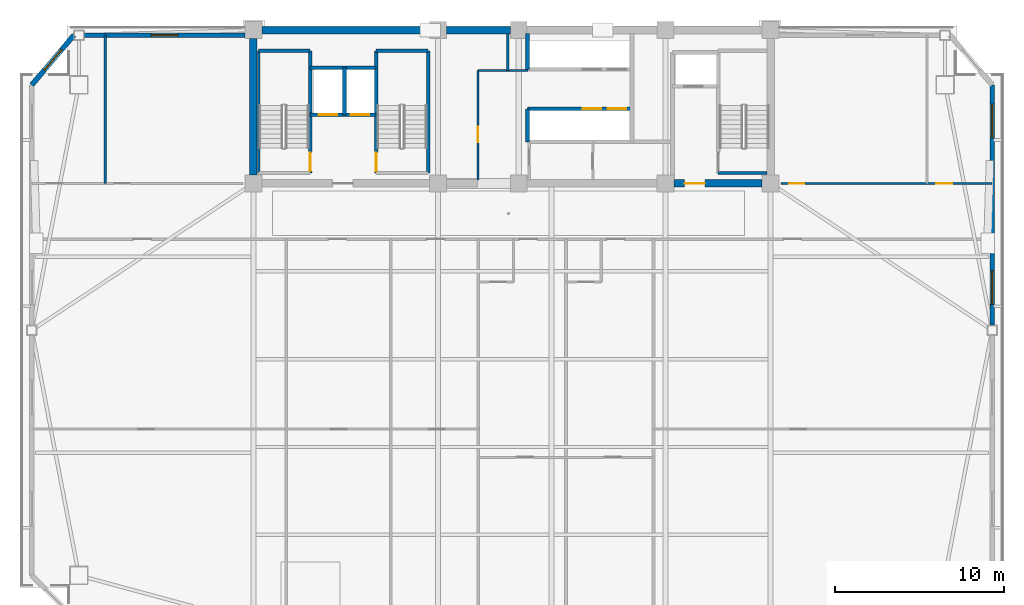
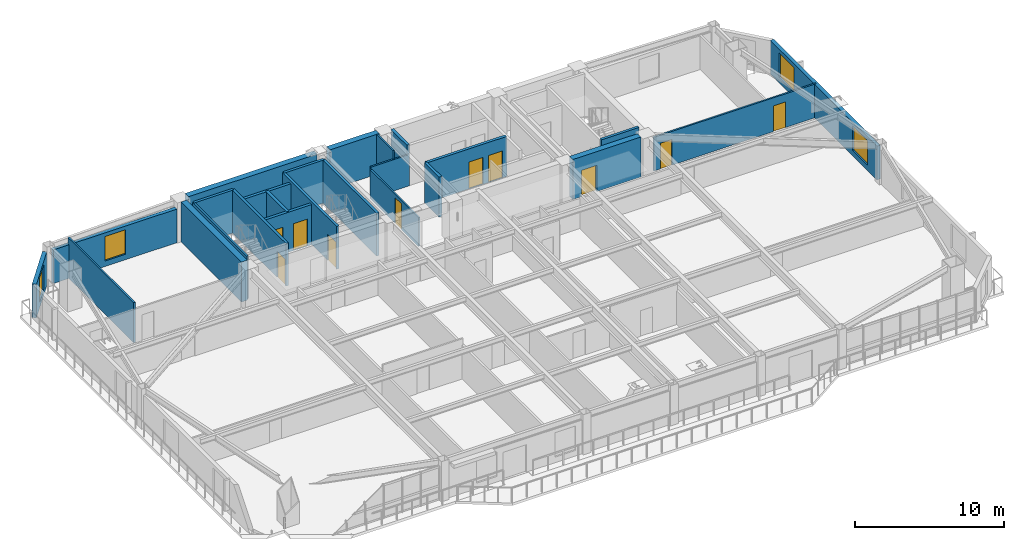
# One storey, part 10 of 17: 25 walls, 10 doors, 4 windows, 14 openings.
"""IFC4 building model written with IfcOpenShell, lengths in metres."""

from ifc_helpers import new_model, si_unit, direction, frame, frame_2d, origin, place, context, subcontext, project, spatial, rectangle, extrude, source, transform, mapped, material, layer, layer_set, type_object, element, fill, save


model = new_model("IFC4")

# Units and contexts
model_context = context("Model", 3, precision=1e-05, world=origin(), true_north=direction((0.0, 1.0)))
body_context = subcontext(model_context, "Body", "Model", "MODEL_VIEW")
ifc_project = project(units=[si_unit("LENGTHUNIT", "METRE"), si_unit("AREAUNIT", "SQUARE_METRE"), si_unit("VOLUMEUNIT", "CUBIC_METRE"), si_unit("PLANEANGLEUNIT", "RADIAN"), si_unit("MASSUNIT", "GRAM", prefix="KILO")], contexts=[model_context])

# Site, building, storey
site_placement = place(None, origin())
site = spatial("IfcSite", under=ifc_project, at=site_placement, CompositionType="ELEMENT")
building_placement = place(site_placement, origin())
building = spatial("IfcBuilding", under=site, at=building_placement, Name="Giltprow Tower", CompositionType="ELEMENT")
storey_placement = place(building_placement, frame((0.0, 0.0, 206.199951171875)))
storey = spatial("IfcBuildingStorey", under=building, at=storey_placement, Name="L52", CompositionType="ELEMENT", Elevation=206.199951171875)

# Wall, opening, window
ifc_material_1 = material(Name="Precast concrete C40", Category="concrete")
ifc_layer_1 = layer(ifc_material_1, 0.300048828125, Name="Precast concrete C40")
ifc_layer_set_1 = layer_set([ifc_layer_1], Name="Precast concrete C40")
wall_type_1 = type_object("IfcWallType", Name="EW-NOTCH-CHAMFER-300", PredefinedType="SOLIDWALL", material=ifc_layer_set_1)
wall_1_placement = place(storey_placement, frame((9.202880859375, 46.25, 0.0), z_axis=(0.0, 0.0, 1.0), x_axis=(-0.646527923623, -0.762890322377, 0.0)))
wall_1 = element("IfcWall", 1, at=wall_1_placement, inside=storey, type_object=wall_type_1, Name="L52 Corner Notch Wall NW", PredefinedType="SOLIDWALL", context=body_context, shape_type="SweptSolid", body=[
    extrude(rectangle(XDim=3.86669921875, YDim=0.300048828125, at=frame_2d((1.933349609375, 0.0))), origin(), (0.0, 0.0, 1.0), 2.75),
])
opening_1_placement = place(wall_1_placement, frame((1.133056640625, 0.0, 0.449951171875)))
opening_1 = element("IfcOpeningElement", 2, at=opening_1_placement, cuts=wall_1, Name="Opening WN17", PredefinedType="OPENING", context=body_context, shape_type="SweptSolid", body=[
    extrude(rectangle(XDim=1.60009765625, YDim=2.0, at=frame_2d((0.800048828125, 1.0))), frame((0.0, 0.159912109375, 0.0), z_axis=(0.0, -1.0, 0.0), x_axis=(1.0, 0.0, 0.0)), (0.0, 0.0, 1.0), 0.320068359375),
])
ifc_material_2 = material(Name="Insulated glass", Category="glass")
window_type_1 = type_object("IfcWindowType", Name="WN-COR-1600x2000", PartitioningType="SINGLE_PANEL", PredefinedType="WINDOW", material=ifc_material_2)
shared_shape_1 = source(origin(), body_context, "Body", "SweptSolid", [
    extrude(rectangle(XDim=1.60009765625, YDim=2.0, at=frame_2d((0.800048828125, 1.0))), frame((0.0, 0.030029296875, 0.0), z_axis=(0.0, -1.0, 0.0), x_axis=(1.0, 0.0, 0.0)), (0.0, 0.0, 1.0), 0.06005859375),
])
window_1_placement = place(opening_1_placement, origin())
window_1 = element("IfcWindow", 3, at=window_1_placement, inside=storey, type_object=window_type_1, Name="L52 Corner Notch Window NW", OverallHeight=2.0, OverallWidth=1.60009765625, PartitioningType="SINGLE_PANEL", PredefinedType="WINDOW", context=body_context, shape_type="MappedRepresentation", body=[
    mapped(shared_shape_1, transform((0.0, 0.0, 0.0), x_axis=(1.0, 0.0, 0.0), y_axis=(0.0, 1.0, 0.0), z_axis=(0.0, 0.0, 1.0), scale=1.0)),
])
fill(opening_1, window_1)

# Wall, openings, windows
ifc_layer_2 = layer(ifc_material_1, 0.280029296875, Name="Precast concrete C40")
ifc_layer_set_2 = layer_set([ifc_layer_2], Name="Precast concrete C40")
wall_type_2 = type_object("IfcWallType", Name="EW-TOW-BRONZE-280", PredefinedType="SOLIDWALL", material=ifc_layer_set_2)
wall_2_placement = place(storey_placement, frame((63.697998046875, 29.04296875, 0.0), z_axis=(0.0, 0.0, 1.0), x_axis=(0.0, 1.0, 0.0)))
wall_2 = element("IfcWall", 4, at=wall_2_placement, inside=storey, type_object=wall_type_2, Name="L52 E Wing Masonry Wall 2", PredefinedType="SOLIDWALL", context=body_context, shape_type="SweptSolid", body=[
    extrude(rectangle(XDim=14.257080078125, YDim=0.280029296875, at=frame_2d((7.12841796875, 0.0))), origin(), (0.0, 0.0, 1.0), 2.75),
])
opening_2_placement = place(wall_2_placement, frame((1.23193359375, 0.0, 0.449951171875)))
opening_2 = element("IfcOpeningElement", 5, at=opening_2_placement, cuts=wall_2, Name="Opening WN21", PredefinedType="OPENING", context=body_context, shape_type="SweptSolid", body=[
    extrude(rectangle(XDim=2.0, YDim=2.0, at=frame_2d((1.0, 1.0))), frame((0.0, 0.14990234375, 0.0), z_axis=(0.0, -1.0, 0.0), x_axis=(1.0, 0.0, 0.0)), (0.0, 0.0, 1.0), 0.300048828125),
])
opening_3_placement = place(wall_2_placement, frame((11.10791015625, 0.0, 0.449951171875)))
opening_3 = element("IfcOpeningElement", 6, at=opening_3_placement, cuts=wall_2, Name="Opening WN21", PredefinedType="OPENING", context=body_context, shape_type="SweptSolid", body=[
    extrude(rectangle(XDim=2.0, YDim=2.0, at=frame_2d((1.0, 1.0))), frame((0.0, 0.14990234375, 0.0), z_axis=(0.0, -1.0, 0.0), x_axis=(1.0, 0.0, 0.0)), (0.0, 0.0, 1.0), 0.300048828125),
])
window_type_2 = type_object("IfcWindowType", Name="WN-HTL-2000x2000", PartitioningType="DOUBLE_PANEL_VERTICAL", PredefinedType="WINDOW", material=ifc_material_2)
shared_shape_2 = source(origin(), body_context, "Body", "SweptSolid", [
    extrude(rectangle(XDim=2.0, YDim=2.0, at=frame_2d((1.0, 1.0))), frame((0.0, 0.030029296875, 0.0), z_axis=(0.0, -1.0, 0.0), x_axis=(1.0, 0.0, 0.0)), (0.0, 0.0, 1.0), 0.06005859375),
])
window_2_placement = place(opening_2_placement, origin())
window_2 = element("IfcWindow", 7, at=window_2_placement, inside=storey, type_object=window_type_2, Name="L52 E Wing Window 2-1", OverallHeight=2.0, OverallWidth=2.0, PartitioningType="SINGLE_PANEL", PredefinedType="WINDOW", context=body_context, shape_type="MappedRepresentation", body=[
    mapped(shared_shape_2, transform((0.0, 0.0, 0.0), x_axis=(1.0, 0.0, 0.0), y_axis=(0.0, 1.0, 0.0), z_axis=(0.0, 0.0, 1.0), scale=1.0)),
])
fill(opening_2, window_2)
window_3_placement = place(opening_3_placement, origin())
window_3 = element("IfcWindow", 8, at=window_3_placement, inside=storey, type_object=window_type_2, Name="L52 E Wing Window 2-2", OverallHeight=2.0, OverallWidth=2.0, PartitioningType="SINGLE_PANEL", PredefinedType="WINDOW", context=body_context, shape_type="MappedRepresentation", body=[
    mapped(shared_shape_2, transform((0.0, 0.0, 0.0), x_axis=(1.0, 0.0, 0.0), y_axis=(0.0, 1.0, 0.0), z_axis=(0.0, 0.0, 1.0), scale=1.0)),
])
fill(opening_3, window_3)

# Wall, opening, window
wall_3_placement = place(storey_placement, frame((9.802978515625, 46.25, 0.0), z_axis=(0.0, 0.0, 1.0), x_axis=(1.0, 0.0, 0.0)))
wall_3 = element("IfcWall", 9, at=wall_3_placement, inside=storey, type_object=wall_type_2, Name="L52 North-West Wing Wall", PredefinedType="SOLIDWALL", context=body_context, shape_type="SweptSolid", body=[
    extrude(rectangle(XDim=9.547119140625, YDim=0.280029296875, at=frame_2d((4.7734375, 0.0))), origin(), (0.0, 0.0, 1.0), 2.75),
])
opening_4_placement = place(wall_3_placement, frame((3.97412109375, 0.0, 0.449951171875)))
opening_4 = element("IfcOpeningElement", 10, at=opening_4_placement, cuts=wall_3, Name="Opening WN17", PredefinedType="OPENING", context=body_context, shape_type="SweptSolid", body=[
    extrude(rectangle(XDim=1.60009765625, YDim=2.0, at=frame_2d((0.800048828125, 1.0))), frame((0.0, 0.14990234375, 0.0), z_axis=(0.0, -1.0, 0.0), x_axis=(1.0, 0.0, 0.0)), (0.0, 0.0, 1.0), 0.300048828125),
])
window_4_placement = place(opening_4_placement, origin())
window_4 = element("IfcWindow", 11, at=window_4_placement, inside=storey, type_object=window_type_1, Name="L52 North-West Window", OverallHeight=2.0, OverallWidth=1.60009765625, PartitioningType="SINGLE_PANEL", PredefinedType="WINDOW", context=body_context, shape_type="MappedRepresentation", body=[
    mapped(shared_shape_1, transform((0.0, 0.0, 0.0), x_axis=(1.0, 0.0, 0.0), y_axis=(0.0, 1.0, 0.0), z_axis=(0.0, 0.0, 1.0), scale=1.0)),
])
fill(opening_4, window_4)

# Wall, openings, doors
ifc_material_3 = material(Name="Concrete C40", Category="concrete")
ifc_layer_3 = layer(ifc_material_3, 0.219970703125, Name="Concrete C40")
ifc_layer_set_3 = layer_set([ifc_layer_3], Name="Concrete C40")
wall_type_3 = type_object("IfcWallType", Name="IW-SHAFT-220", PredefinedType="SOLIDWALL", material=ifc_layer_set_3)
wall_4_placement = place(storey_placement, frame((23.219970703125, 41.52001953125, 0.0), z_axis=(0.0, 0.0, 1.0), x_axis=(1.0, 0.0, 0.0)))
wall_4 = element("IfcWall", 12, at=wall_4_placement, inside=storey, type_object=wall_type_3, Name="L52 FFL1 and Service Lift Front Wall", PredefinedType="SOLIDWALL", context=body_context, shape_type="SweptSolid", body=[
    extrude(rectangle(XDim=3.919921875, YDim=0.219970703125, at=frame_2d((1.9599609375, 0.0))), origin(), (0.0, 0.0, 1.0), 3.27001953125),
])
opening_5_placement = place(wall_4_placement, frame((0.5, 0.0, 0.0)))
opening_5 = element("IfcOpeningElement", 13, at=opening_5_placement, cuts=wall_4, Name="Opening LD-11", PredefinedType="OPENING", context=body_context, shape_type="SweptSolid", body=[
    extrude(rectangle(XDim=1.10009765625, YDim=2.199951171875, at=frame_2d((0.550048828125, 1.10009765625))), frame((0.0, 0.119873046875, 0.0), z_axis=(0.0, -1.0, 0.0), x_axis=(1.0, 0.0, 0.0)), (0.0, 0.0, 1.0), 0.239990234375),
])
opening_6_placement = place(wall_4_placement, frame((2.39990234375, 0.0, 0.0)))
opening_6 = element("IfcOpeningElement", 14, at=opening_6_placement, cuts=wall_4, Name="Opening LD-11", PredefinedType="OPENING", context=body_context, shape_type="SweptSolid", body=[
    extrude(rectangle(XDim=1.10009765625, YDim=2.199951171875, at=frame_2d((0.550048828125, 1.10009765625))), frame((0.0, 0.119873046875, 0.0), z_axis=(0.0, -1.0, 0.0), x_axis=(1.0, 0.0, 0.0)), (0.0, 0.0, 1.0), 0.239990234375),
])
ifc_material_4 = material(Name="Stainless steel", Category="steel")
door_type_1 = type_object("IfcDoorType", Name="DR-LIFT-LD1100", OperationType="SLIDING_TO_LEFT", PredefinedType="DOOR", material=ifc_material_4)
shared_shape_3 = source(origin(), body_context, "Body", "SweptSolid", [
    extrude(rectangle(XDim=1.10009765625, YDim=2.199951171875, at=frame_2d((0.550048828125, 1.10009765625))), frame((0.0, 0.02490234375, 0.0), z_axis=(0.0, -1.0, 0.0), x_axis=(1.0, 0.0, 0.0)), (0.0, 0.0, 1.0), 0.050048828125),
])
door_1_placement = place(opening_5_placement, origin())
door_1 = element("IfcDoor", 15, at=door_1_placement, inside=storey, type_object=door_type_1, Name="L52 FFL1 Landing Door", OperationType="SLIDING_TO_LEFT", OverallHeight=2.199951171875, OverallWidth=1.10009765625, PredefinedType="DOOR", context=body_context, shape_type="MappedRepresentation", body=[
    mapped(shared_shape_3, transform((0.0, 0.0, 0.0), x_axis=(1.0, 0.0, 0.0), y_axis=(0.0, 1.0, 0.0), z_axis=(0.0, 0.0, 1.0), scale=1.0)),
])
fill(opening_5, door_1)
door_2_placement = place(opening_6_placement, origin())
door_2 = element("IfcDoor", 16, at=door_2_placement, inside=storey, type_object=door_type_1, Name="L52 SVL1 Landing Door", OperationType="SLIDING_TO_LEFT", OverallHeight=2.199951171875, OverallWidth=1.10009765625, PredefinedType="DOOR", context=body_context, shape_type="MappedRepresentation", body=[
    mapped(shared_shape_3, transform((0.0, 0.0, 0.0), x_axis=(1.0, 0.0, 0.0), y_axis=(0.0, 1.0, 0.0), z_axis=(0.0, 0.0, 1.0), scale=1.0)),
])
fill(opening_6, door_2)

# Walls
wall_5_placement = place(storey_placement, frame((25.260009765625, 41.52001953125, 0.0), z_axis=(0.0, 0.0, 1.0), x_axis=(0.0, 1.0, 0.0)))
element("IfcWall", 17, at=wall_5_placement, inside=storey, type_object=wall_type_3, Name="L52 FFL1-SVL1 Shaft Divider", PredefinedType="SOLIDWALL", context=body_context, shape_type="SweptSolid", body=[
    extrude(rectangle(XDim=2.800048828125, YDim=0.219970703125, at=frame_2d((1.39990234375, 0.0))), origin(), (0.0, 0.0, 1.0), 3.27001953125),
])
wall_6_placement = place(storey_placement, frame((23.219970703125, 44.320068359375, 0.0), z_axis=(0.0, 0.0, 1.0), x_axis=(1.0, 0.0, 0.0)))
element("IfcWall", 18, at=wall_6_placement, inside=storey, type_object=wall_type_3, Name="L52 FFL1-SVL1 Back Shaft Wall", PredefinedType="SOLIDWALL", context=body_context, shape_type="SweptSolid", body=[
    extrude(rectangle(XDim=3.919921875, YDim=0.219970703125, at=frame_2d((1.9599609375, 0.0))), origin(), (0.0, 0.0, 1.0), 3.27001953125),
])

# Wall, openings, doors
wall_7_placement = place(storey_placement, frame((36.1201171875, 41.8798828125, 0.0), z_axis=(0.0, 0.0, 1.0), x_axis=(1.0, 0.0, 0.0)))
wall_7 = element("IfcWall", 19, at=wall_7_placement, inside=storey, type_object=wall_type_3, Name="L52 Mid-Rise Lift Shaft Front Wall S", PredefinedType="SOLIDWALL", context=body_context, shape_type="SweptSolid", body=[
    extrude(rectangle(XDim=6.199951171875, YDim=0.219970703125, at=frame_2d((3.10009765625, 0.0))), origin(), (0.0, 0.0, 1.0), 3.27001953125),
])
opening_7_placement = place(wall_7_placement, frame((3.280029296875, 0.0, 0.0)))
opening_7 = element("IfcOpeningElement", 20, at=opening_7_placement, cuts=wall_7, Name="Opening LD-11", PredefinedType="OPENING", context=body_context, shape_type="SweptSolid", body=[
    extrude(rectangle(XDim=1.10009765625, YDim=2.199951171875, at=frame_2d((0.550048828125, 1.10009765625))), frame((0.0, 0.119873046875, 0.0), z_axis=(0.0, -1.0, 0.0), x_axis=(1.0, 0.0, 0.0)), (0.0, 0.0, 1.0), 0.239990234375),
])
opening_8_placement = place(wall_7_placement, frame((4.77001953125, 0.0, 0.0)))
opening_8 = element("IfcOpeningElement", 21, at=opening_8_placement, cuts=wall_7, Name="Opening LD-11", PredefinedType="OPENING", context=body_context, shape_type="SweptSolid", body=[
    extrude(rectangle(XDim=1.10009765625, YDim=2.199951171875, at=frame_2d((0.550048828125, 1.10009765625))), frame((0.0, 0.119873046875, 0.0), z_axis=(0.0, -1.0, 0.0), x_axis=(1.0, 0.0, 0.0)), (0.0, 0.0, 1.0), 0.239990234375),
])
door_3_placement = place(opening_7_placement, origin())
door_3 = element("IfcDoor", 22, at=door_3_placement, inside=storey, type_object=door_type_1, Name="L52 PL-M3 Landing Door", OperationType="SLIDING_TO_LEFT", OverallHeight=2.199951171875, OverallWidth=1.10009765625, PredefinedType="DOOR", context=body_context, shape_type="MappedRepresentation", body=[
    mapped(shared_shape_3, transform((0.0, 0.0, 0.0), x_axis=(1.0, 0.0, 0.0), y_axis=(0.0, 1.0, 0.0), z_axis=(0.0, 0.0, 1.0), scale=1.0)),
])
fill(opening_7, door_3)
door_4_placement = place(opening_8_placement, origin())
door_4 = element("IfcDoor", 23, at=door_4_placement, inside=storey, type_object=door_type_1, Name="L52 PL-M4 Landing Door", OperationType="SLIDING_TO_LEFT", OverallHeight=2.199951171875, OverallWidth=1.10009765625, PredefinedType="DOOR", context=body_context, shape_type="MappedRepresentation", body=[
    mapped(shared_shape_3, transform((0.0, 0.0, 0.0), x_axis=(1.0, 0.0, 0.0), y_axis=(0.0, 1.0, 0.0), z_axis=(0.0, 0.0, 1.0), scale=1.0)),
])
fill(opening_8, door_4)

# Walls
wall_8_placement = place(storey_placement, frame((36.1201171875, 39.919921875, 0.0), z_axis=(0.0, 0.0, 1.0), x_axis=(0.0, 1.0, 0.0)))
element("IfcWall", 24, at=wall_8_placement, inside=storey, type_object=wall_type_3, Name="L52 Mid-Rise South Lift West Closure", PredefinedType="SOLIDWALL", context=body_context, shape_type="SweptSolid", body=[
    extrude(rectangle(XDim=1.9599609375, YDim=0.219970703125, at=frame_2d((0.97998046875, 0.0))), origin(), (0.0, 0.0, 1.0), 3.27001953125),
])
wall_9_placement = place(storey_placement, frame((36.1201171875, 44.219970703125, 0.0), z_axis=(0.0, 0.0, 1.0), x_axis=(0.0, 1.0, 0.0)))
element("IfcWall", 25, at=wall_9_placement, inside=storey, type_object=wall_type_3, Name="L52 Mid-Rise North Lift West Closure", PredefinedType="SOLIDWALL", context=body_context, shape_type="SweptSolid", body=[
    extrude(rectangle(XDim=2.125, YDim=0.219970703125, at=frame_2d((1.0625, 0.0))), origin(), (0.0, 0.0, 1.0), 3.27001953125),
])
ifc_material_5 = material(Name="Concrete C45", Category="concrete")
ifc_layer_4 = layer(ifc_material_5, 0.139892578125, Name="Concrete C45")
ifc_layer_set_4 = layer_set([ifc_layer_4], Name="Concrete C45")
wall_type_4 = type_object("IfcWallType", Name="IW-STAIR-140", PredefinedType="SOLIDWALL", material=ifc_layer_set_4)
wall_10_placement = place(storey_placement, frame((20.169921875, 38.070068359375, 0.0), z_axis=(0.0, 0.0, 1.0), x_axis=(0.0, 1.0, 0.0)))
element("IfcWall", 26, at=wall_10_placement, inside=storey, type_object=wall_type_4, Name="L52 Stair ST-1 West Bearing Wall", PredefinedType="SOLIDWALL", context=body_context, shape_type="SweptSolid", body=[
    extrude(rectangle(XDim=7.25, YDim=0.139892578125, at=frame_2d((3.625, 0.0))), origin(), (0.0, 0.0, 1.0), 3.5),
])

# Wall, opening, door
ifc_layer_5 = layer(ifc_material_3, 0.199951171875, Name="Concrete C40")
ifc_layer_set_5 = layer_set([ifc_layer_5], Name="Concrete C40")
wall_type_5 = type_object("IfcWallType", Name="IW-STAIR-200", PredefinedType="SOLIDWALL", material=ifc_layer_set_5)
wall_11_placement = place(storey_placement, frame((23.219970703125, 38.070068359375, 0.0), z_axis=(0.0, 0.0, 1.0), x_axis=(0.0, 1.0, 0.0)))
wall_11 = element("IfcWall", 27, at=wall_11_placement, inside=storey, type_object=wall_type_5, Name="L52 Stair ST-1 East Bearing Wall", PredefinedType="SOLIDWALL", context=body_context, shape_type="SweptSolid", body=[
    extrude(rectangle(XDim=7.25, YDim=0.199951171875, at=frame_2d((3.625, 0.0))), origin(), (0.0, 0.0, 1.0), 3.5),
])
opening_9_placement = place(wall_11_placement, frame((0.110107421875, 0.0, 0.0)))
opening_9 = element("IfcOpeningElement", 28, at=opening_9_placement, cuts=wall_11, Name="Opening ID33", PredefinedType="OPENING", context=body_context, shape_type="SweptSolid", body=[
    extrude(rectangle(XDim=1.10009765625, YDim=2.14990234375, at=frame_2d((0.550048828125, 1.074951171875))), frame((0.0, 0.10986328125, 0.0), z_axis=(0.0, -1.0, 0.0), x_axis=(1.0, 0.0, 0.0)), (0.0, 0.0, 1.0), 0.219970703125),
])
ifc_material_6 = material(Name="Steel fire leaf", Category="steel")
door_type_2 = type_object("IfcDoorType", Name="DR-STAIR-1100", OperationType="SINGLE_SWING_LEFT", PredefinedType="DOOR", material=ifc_material_6)
shared_shape_4 = source(origin(), body_context, "Body", "SweptSolid", [
    extrude(rectangle(XDim=1.10009765625, YDim=2.14990234375, at=frame_2d((0.550048828125, 1.074951171875))), frame((0.0, 0.02490234375, 0.0), z_axis=(0.0, -1.0, 0.0), x_axis=(1.0, 0.0, 0.0)), (0.0, 0.0, 1.0), 0.050048828125),
])
door_5_placement = place(opening_9_placement, origin())
door_5 = element("IfcDoor", 29, at=door_5_placement, inside=storey, type_object=door_type_2, Name="L52 Stair ST-1 Fire Door", OperationType="SINGLE_SWING_LEFT", OverallHeight=2.14990234375, OverallWidth=1.10009765625, PredefinedType="DOOR", context=body_context, shape_type="MappedRepresentation", body=[
    mapped(shared_shape_4, transform((0.0, 0.0, 0.0), x_axis=(1.0, 0.0, 0.0), y_axis=(0.0, 1.0, 0.0), z_axis=(0.0, 0.0, 1.0), scale=1.0)),
])
fill(opening_9, door_5)

# Wall
wall_12_placement = place(storey_placement, frame((20.169921875, 45.320068359375, 0.0), z_axis=(0.0, 0.0, 1.0), x_axis=(1.0, 0.0, 0.0)))
element("IfcWall", 30, at=wall_12_placement, inside=storey, type_object=wall_type_5, Name="L52 Stair ST-1 North Bearing Wall", PredefinedType="SOLIDWALL", context=body_context, shape_type="SweptSolid", body=[
    extrude(rectangle(XDim=3.050048828125, YDim=0.199951171875, at=frame_2d((1.52490234375, 0.0))), origin(), (0.0, 0.0, 1.0), 3.5),
])

# Wall, opening, door
wall_13_placement = place(storey_placement, frame((27.139892578125, 38.070068359375, 0.0), z_axis=(0.0, 0.0, 1.0), x_axis=(0.0, 1.0, 0.0)))
wall_13 = element("IfcWall", 31, at=wall_13_placement, inside=storey, type_object=wall_type_5, Name="L52 Stair ST-2 West Bearing Wall", PredefinedType="SOLIDWALL", context=body_context, shape_type="SweptSolid", body=[
    extrude(rectangle(XDim=7.25, YDim=0.199951171875, at=frame_2d((3.625, 0.0))), origin(), (0.0, 0.0, 1.0), 3.5),
])
opening_10_placement = place(wall_13_placement, frame((0.110107421875, 0.0, 0.0)))
opening_10 = element("IfcOpeningElement", 32, at=opening_10_placement, cuts=wall_13, Name="Opening ID33", PredefinedType="OPENING", context=body_context, shape_type="SweptSolid", body=[
    extrude(rectangle(XDim=1.10009765625, YDim=2.14990234375, at=frame_2d((0.550048828125, 1.074951171875))), frame((0.0, 0.10986328125, 0.0), z_axis=(0.0, -1.0, 0.0), x_axis=(1.0, 0.0, 0.0)), (0.0, 0.0, 1.0), 0.219970703125),
])
door_6_placement = place(opening_10_placement, origin())
door_6 = element("IfcDoor", 33, at=door_6_placement, inside=storey, type_object=door_type_2, Name="L52 Stair ST-2 Fire Door", OperationType="SINGLE_SWING_RIGHT", OverallHeight=2.14990234375, OverallWidth=1.10009765625, PredefinedType="DOOR", context=body_context, shape_type="MappedRepresentation", body=[
    mapped(shared_shape_4, transform((0.0, 0.0, 0.0), x_axis=(1.0, 0.0, 0.0), y_axis=(0.0, 1.0, 0.0), z_axis=(0.0, 0.0, 1.0), scale=1.0)),
])
fill(opening_10, door_6)

# Walls
wall_14_placement = place(storey_placement, frame((30.219970703125, 38.070068359375, 0.0), z_axis=(0.0, 0.0, 1.0), x_axis=(0.0, 1.0, 0.0)))
element("IfcWall", 34, at=wall_14_placement, inside=storey, type_object=wall_type_5, Name="L52 Stair ST-2 East Bearing Wall", PredefinedType="SOLIDWALL", context=body_context, shape_type="SweptSolid", body=[
    extrude(rectangle(XDim=7.25, YDim=0.199951171875, at=frame_2d((3.625, 0.0))), origin(), (0.0, 0.0, 1.0), 3.5),
])
wall_15_placement = place(storey_placement, frame((27.139892578125, 45.320068359375, 0.0), z_axis=(0.0, 0.0, 1.0), x_axis=(1.0, 0.0, 0.0)))
element("IfcWall", 35, at=wall_15_placement, inside=storey, type_object=wall_type_5, Name="L52 Stair ST-2 North Bearing Wall", PredefinedType="SOLIDWALL", context=body_context, shape_type="SweptSolid", body=[
    extrude(rectangle(XDim=3.080078125, YDim=0.199951171875, at=frame_2d((1.5400390625, 0.0))), origin(), (0.0, 0.0, 1.0), 3.5),
])
wall_16_placement = place(storey_placement, frame((47.43994140625, 38.070068359375, 0.0), z_axis=(0.0, 0.0, 1.0), x_axis=(1.0, 0.0, 0.0)))
element("IfcWall", 36, at=wall_16_placement, inside=storey, type_object=wall_type_5, Name="L52 Stair ST-3 South Bearing Wall", PredefinedType="SOLIDWALL", context=body_context, shape_type="SweptSolid", body=[
    extrude(rectangle(XDim=2.905029296875, YDim=0.199951171875, at=frame_2d((1.45263671875, 0.0))), origin(), (0.0, 0.0, 1.0), 3.5),
])

# Wall, opening, door
ifc_material_7 = material(Name="Concrete C30", Category="concrete")
ifc_layer_6 = layer(ifc_material_7, 0.1298828125, Name="Concrete C30")
ifc_layer_set_6 = layer_set([ifc_layer_6], Name="Concrete C30")
wall_type_6 = type_object("IfcWallType", Name="IW-WET-130", PredefinedType="PARTITIONING", material=ifc_layer_set_6)
wall_17_placement = place(storey_placement, frame((33.179931640625, 37.655029296875, 0.0), z_axis=(0.0, 0.0, 1.0), x_axis=(0.0, 1.0, 0.0)))
wall_17 = element("IfcWall", 37, at=wall_17_placement, inside=storey, type_object=wall_type_6, Name="L52 Reclaimed Core Room East Wall", PredefinedType="PARTITIONING", context=body_context, shape_type="SweptSolid", body=[
    extrude(rectangle(XDim=6.494873046875, YDim=0.1298828125, at=frame_2d((3.24755859375, 0.0))), origin(), (0.0, 0.0, 1.0), 2.35498046875),
])
opening_11_placement = place(wall_17_placement, frame((2.2451171875, 0.0, 0.0)))
opening_11 = element("IfcOpeningElement", 38, at=opening_11_placement, cuts=wall_17, Name="Opening ID35", PredefinedType="OPENING", context=body_context, shape_type="SweptSolid", body=[
    extrude(rectangle(XDim=0.89990234375, YDim=2.10009765625, at=frame_2d((0.449951171875, 1.050048828125))), frame((0.0, 0.074951171875, 0.0), z_axis=(0.0, -1.0, 0.0), x_axis=(1.0, 0.0, 0.0)), (0.0, 0.0, 1.0), 0.14990234375),
])
door_type_3 = type_object("IfcDoorType", Name="DR-SHAFT-900", OperationType="SINGLE_SWING_LEFT", PredefinedType="DOOR", material=ifc_material_6)
shared_shape_5 = source(origin(), body_context, "Body", "SweptSolid", [
    extrude(rectangle(XDim=0.89990234375, YDim=2.10009765625, at=frame_2d((0.449951171875, 1.050048828125))), frame((0.0, 0.02490234375, 0.0), z_axis=(0.0, -1.0, 0.0), x_axis=(1.0, 0.0, 0.0)), (0.0, 0.0, 1.0), 0.050048828125),
])
door_7_placement = place(opening_11_placement, origin())
door_7 = element("IfcDoor", 39, at=door_7_placement, inside=storey, type_object=door_type_3, Name="L52 Housekeeping and Linen Suite Door", OperationType="SINGLE_SWING_RIGHT", OverallHeight=2.10009765625, OverallWidth=0.89990234375, PredefinedType="DOOR", context=body_context, shape_type="MappedRepresentation", body=[
    mapped(shared_shape_5, transform((0.0, 0.0, 0.0), x_axis=(1.0, 0.0, 0.0), y_axis=(0.0, 1.0, 0.0), z_axis=(0.0, 0.0, 1.0), scale=1.0)),
])
fill(opening_11, door_7)

# Walls
wall_18_placement = place(storey_placement, frame((34.949951171875, 44.14990234375, 0.0), z_axis=(0.0, 0.0, 1.0), x_axis=(0.0, 1.0, 0.0)))
element("IfcWall", 40, at=wall_18_placement, inside=storey, type_object=wall_type_6, Name="L52 Reclaimed North Pocket East Wall", PredefinedType="PARTITIONING", context=body_context, shape_type="SweptSolid", body=[
    extrude(rectangle(XDim=2.195068359375, YDim=0.1298828125, at=frame_2d((1.09765625, 0.0))), origin(), (0.0, 0.0, 1.0), 3.27001953125),
])
wall_19_placement = place(storey_placement, frame((33.179931640625, 44.14990234375, 0.0), z_axis=(0.0, 0.0, 1.0), x_axis=(1.0, 0.0, 0.0)))
element("IfcWall", 41, at=wall_19_placement, inside=storey, type_object=wall_type_6, Name="L52 Reclaimed North Pocket South Wall", PredefinedType="PARTITIONING", context=body_context, shape_type="SweptSolid", body=[
    extrude(rectangle(XDim=2.969970703125, YDim=0.1298828125, at=frame_2d((1.48486328125, 0.0))), origin(), (0.0, 0.0, 1.0), 2.554931640625),
])
wall_20_placement = place(storey_placement, frame((11.06689453125, 37.449951171875, 0.0), z_axis=(0.0, 0.0, 1.0), x_axis=(0.0, 1.0, 0.0)))
element("IfcWall", 42, at=wall_20_placement, inside=storey, type_object=wall_type_6, Name="L52 NW Wing Divider", PredefinedType="PARTITIONING", context=body_context, shape_type="SweptSolid", body=[
    extrude(rectangle(XDim=8.800048828125, YDim=0.1298828125, at=frame_2d((4.39990234375, 0.0))), origin(), (0.0, 0.0, 1.0), 3.27001953125),
])

# Wall, openings, doors
wall_21_placement = place(storey_placement, frame((51.14990234375, 37.449951171875, 0.0), z_axis=(0.0, 0.0, 1.0), x_axis=(1.0, 0.0, 0.0)))
wall_21 = element("IfcWall", 43, at=wall_21_placement, inside=storey, type_object=wall_type_6, Name="L52 NE Wing South Wall", PredefinedType="PARTITIONING", context=body_context, shape_type="SweptSolid", body=[
    extrude(rectangle(XDim=12.548095703125, YDim=0.1298828125, at=frame_2d((6.27392578125, 0.0))), origin(), (0.0, 0.0, 1.0), 2.755126953125),
])
opening_12_placement = place(wall_21_placement, frame((0.5, 0.0, 0.0)))
opening_12 = element("IfcOpeningElement", 44, at=opening_12_placement, cuts=wall_21, Name="Opening ID15", PredefinedType="OPENING", context=body_context, shape_type="SweptSolid", body=[
    extrude(rectangle(XDim=0.89990234375, YDim=2.10009765625, at=frame_2d((0.449951171875, 1.050048828125))), frame((0.0, 0.074951171875, 0.0), z_axis=(0.0, -1.0, 0.0), x_axis=(1.0, 0.0, 0.0)), (0.0, 0.0, 1.0), 0.14990234375),
])
opening_13_placement = place(wall_21_placement, frame((9.22412109375, 0.0, 0.0)))
opening_13 = element("IfcOpeningElement", 45, at=opening_13_placement, cuts=wall_21, Name="Opening ID11", PredefinedType="OPENING", context=body_context, shape_type="SweptSolid", body=[
    extrude(rectangle(XDim=0.949951171875, YDim=2.10009765625, at=frame_2d((0.47509765625, 1.050048828125))), frame((0.0, 0.074951171875, 0.0), z_axis=(0.0, -1.0, 0.0), x_axis=(1.0, 0.0, 0.0)), (0.0, 0.0, 1.0), 0.14990234375),
])
ifc_material_8 = material(Name="Engineered timber", Category="wood")
door_type_4 = type_object("IfcDoorType", Name="DR-WC-900", OperationType="SINGLE_SWING_LEFT", PredefinedType="DOOR", material=ifc_material_8)
door_8_placement = place(opening_12_placement, origin())
door_8 = element("IfcDoor", 46, at=door_8_placement, inside=storey, type_object=door_type_4, Name="L52 East Wing Washroom Door", OperationType="SINGLE_SWING_RIGHT", OverallHeight=2.10009765625, OverallWidth=0.89990234375, PredefinedType="DOOR", context=body_context, shape_type="MappedRepresentation", body=[
    mapped(shared_shape_5, transform((0.0, 0.0, 0.0), x_axis=(1.0, 0.0, 0.0), y_axis=(0.0, 1.0, 0.0), z_axis=(0.0, 0.0, 1.0), scale=1.0)),
])
fill(opening_12, door_8)
door_type_5 = type_object("IfcDoorType", Name="DR-ROOM-950", OperationType="SINGLE_SWING_RIGHT", PredefinedType="DOOR", material=ifc_material_8)
shared_shape_6 = source(origin(), body_context, "Body", "SweptSolid", [
    extrude(rectangle(XDim=0.949951171875, YDim=2.10009765625, at=frame_2d((0.47509765625, 1.050048828125))), frame((0.0, 0.02490234375, 0.0), z_axis=(0.0, -1.0, 0.0), x_axis=(1.0, 0.0, 0.0)), (0.0, 0.0, 1.0), 0.050048828125),
])
door_9_placement = place(opening_13_placement, origin())
door_9 = element("IfcDoor", 47, at=door_9_placement, inside=storey, type_object=door_type_5, Name="L52 Hotel Floor Linen Store Door", OperationType="SINGLE_SWING_RIGHT", OverallHeight=2.10009765625, OverallWidth=0.949951171875, PredefinedType="DOOR", context=body_context, shape_type="MappedRepresentation", body=[
    mapped(shared_shape_6, transform((0.0, 0.0, 0.0), x_axis=(1.0, 0.0, 0.0), y_axis=(0.0, 1.0, 0.0), z_axis=(0.0, 0.0, 1.0), scale=1.0)),
])
fill(opening_13, door_9)

# Walls
ifc_material_9 = material(Name="Concrete C50", Category="concrete")
ifc_layer_7 = layer(ifc_material_9, 0.449951171875, Name="Concrete C50")
ifc_layer_set_7 = layer_set([ifc_layer_7], Name="Concrete C50")
wall_type_7 = type_object("IfcWallType", Name="SW-EXT-450-C50", PredefinedType="SHEAR", material=ifc_layer_set_7)
wall_22_placement = place(storey_placement, frame((20.35009765625, 46.550048828125, 0.0), z_axis=(0.0, 0.0, 1.0), x_axis=(1.0, 0.0, 0.0)))
element("IfcWall", 48, at=wall_22_placement, inside=storey, type_object=wall_type_7, Name="L52 North Rear Core Shear Wall 1", PredefinedType="SHEAR", context=body_context, shape_type="SweptSolid", body=[
    extrude(rectangle(XDim=9.949951171875, YDim=0.449951171875, at=frame_2d((4.97509765625, 0.0))), origin(), (0.0, 0.0, 1.0), 3.27001953125),
])
wall_23_placement = place(storey_placement, frame((31.300048828125, 46.550048828125, 0.0), z_axis=(0.0, 0.0, 1.0), x_axis=(1.0, 0.0, 0.0)))
element("IfcWall", 49, at=wall_23_placement, inside=storey, type_object=wall_type_7, Name="L52 North Rear Core Shear Wall 2", PredefinedType="SHEAR", context=body_context, shape_type="SweptSolid", body=[
    extrude(rectangle(XDim=3.800048828125, YDim=0.449951171875, at=frame_2d((1.89990234375, 0.0))), origin(), (0.0, 0.0, 1.0), 3.27001953125),
])

# Wall, opening, door
ifc_layer_8 = layer(ifc_material_9, 0.449951171875, Name="Concrete C50")
ifc_layer_set_8 = layer_set([ifc_layer_8], Name="Concrete C50")
wall_type_8 = type_object("IfcWallType", Name="SW-INT-450-C50", PredefinedType="SHEAR", material=ifc_layer_set_8)
wall_24_placement = place(storey_placement, frame((44.800048828125, 37.449951171875, 0.0), z_axis=(0.0, 0.0, 1.0), x_axis=(1.0, 0.0, 0.0)))
wall_24 = element("IfcWall", 50, at=wall_24_placement, inside=storey, type_object=wall_type_8, Name="L52 South Rear Core Shear Wall East", PredefinedType="SHEAR", context=body_context, shape_type="SweptSolid", body=[
    extrude(rectangle(XDim=5.25, YDim=0.449951171875, at=frame_2d((2.625, 0.0))), origin(), (0.0, 0.0, 1.0), 3.27001953125),
])
opening_14_placement = place(wall_24_placement, frame((0.64990234375, 0.0, 0.0)))
opening_14 = element("IfcOpeningElement", 51, at=opening_14_placement, cuts=wall_24, Name="Opening ID19", PredefinedType="OPENING", context=body_context, shape_type="SweptSolid", body=[
    extrude(rectangle(XDim=1.199951171875, YDim=2.14990234375, at=frame_2d((0.60009765625, 1.074951171875))), frame((0.0, 0.23486328125, 0.0), z_axis=(0.0, -1.0, 0.0), x_axis=(1.0, 0.0, 0.0)), (0.0, 0.0, 1.0), 0.469970703125),
])
door_type_6 = type_object("IfcDoorType", Name="DR-FFLOBBY-1200", OperationType="SINGLE_SWING_RIGHT", PredefinedType="DOOR", material=ifc_material_6)
shared_shape_7 = source(origin(), body_context, "Body", "SweptSolid", [
    extrude(rectangle(XDim=1.199951171875, YDim=2.14990234375, at=frame_2d((0.60009765625, 1.074951171875))), frame((0.0, 0.02490234375, 0.0), z_axis=(0.0, -1.0, 0.0), x_axis=(1.0, 0.0, 0.0)), (0.0, 0.0, 1.0), 0.050048828125),
])
door_10_placement = place(opening_14_placement, origin())
door_10 = element("IfcDoor", 52, at=door_10_placement, inside=storey, type_object=door_type_6, Name="L52 East Firefighting Lobby Entry Door", OperationType="SINGLE_SWING_RIGHT", OverallHeight=2.14990234375, OverallWidth=1.199951171875, PredefinedType="DOOR", context=body_context, shape_type="MappedRepresentation", body=[
    mapped(shared_shape_7, transform((0.0, 0.0, 0.0), x_axis=(1.0, 0.0, 0.0), y_axis=(0.0, 1.0, 0.0), z_axis=(0.0, 0.0, 1.0), scale=1.0)),
])
fill(opening_14, door_10)

# Wall
wall_25_placement = place(storey_placement, frame((19.85009765625, 37.949951171875, 0.0), z_axis=(0.0, 0.0, 1.0), x_axis=(0.0, 1.0, 0.0)))
element("IfcWall", 53, at=wall_25_placement, inside=storey, type_object=wall_type_8, Name="L52 W Rear Core Shear Wall", PredefinedType="SHEAR", context=body_context, shape_type="SweptSolid", body=[
    extrude(rectangle(XDim=8.10009765625, YDim=0.449951171875, at=frame_2d((4.050048828125, 0.0))), origin(), (0.0, 0.0, 1.0), 3.27001953125),
])

save(model, "model.ifc")
